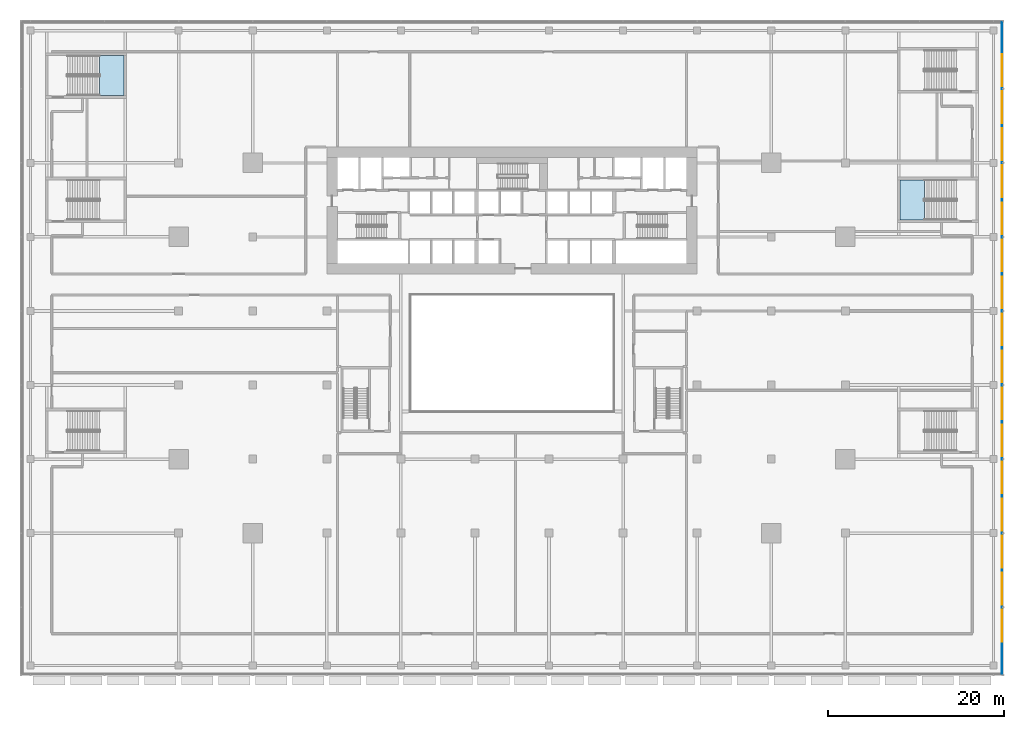
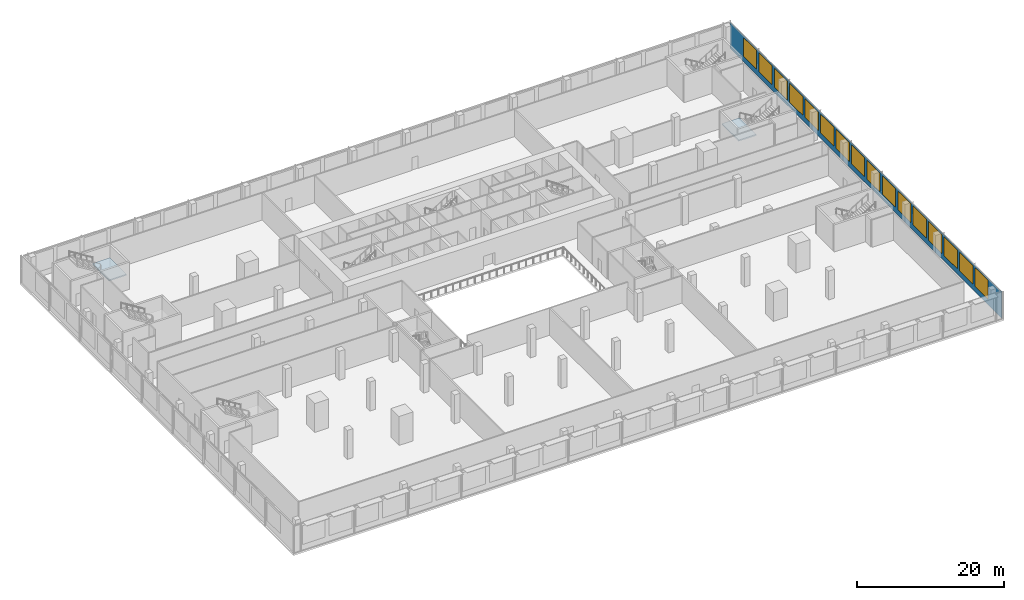
# One storey, part 24 of 39: 16 windows, 2 slabs, 1 plate, 16 openings, 3 elements without a shape of their own.
"""IFC4 building model written with IfcOpenShell, lengths in metres."""

from ifc_helpers import new_model, si_unit, direction, frame, frame_2d, origin, place, context, subcontext, project, spatial, polyline, rectangle, outline, extrude, material, layer, layer_set, type_object, element, fill, aggregate, save


model = new_model("IFC4")

# Units and contexts
model_context = context("Model", 3, precision=1e-05, world=origin(), true_north=direction((0.0, 1.0)))
body_context = subcontext(model_context, "Body", "Model", "MODEL_VIEW")
ifc_project = project(units=[si_unit("LENGTHUNIT", "METRE"), si_unit("AREAUNIT", "SQUARE_METRE"), si_unit("VOLUMEUNIT", "CUBIC_METRE"), si_unit("PLANEANGLEUNIT", "RADIAN"), si_unit("MASSUNIT", "GRAM", prefix="KILO")], contexts=[model_context])

# Site, building, storey
site_placement = place(None, origin())
site = spatial("IfcSite", under=ifc_project, at=site_placement, CompositionType="ELEMENT")
building_placement = place(site_placement, origin())
building = spatial("IfcBuilding", under=site, at=building_placement, Name="Saffron Gate Tower", CompositionType="ELEMENT")
storey_placement = place(building_placement, frame((0.0, 0.0, 14.39990234375)))
storey = spatial("IfcBuildingStorey", under=building, at=storey_placement, Name="L02", CompositionType="ELEMENT", Elevation=14.39990234375)

# Curtain wall, plate, openings, windows
ifc_material_1 = material(Name="Aluminium, bronze anodised", Category="aluminium")
curtain_wall_type = type_object("IfcCurtainWallType", Name="CWS5 curtain wall podium ring base", PredefinedType="NOTDEFINED", material=ifc_material_1)
curtain_wall_placement = place(storey_placement, origin())
curtain_wall = element("IfcCurtainWall", 1, at=curtain_wall_placement, inside=storey, type_object=curtain_wall_type, Name="CWS5 run 2", PredefinedType="NOTDEFINED")
ifc_material_2 = material(Name="Clear low-iron laminated glass", Category="glass")
ifc_layer_1 = layer(ifc_material_2, 0.028076171875)
ifc_layer_set_1 = layer_set([ifc_layer_1], Name="CWS5 fixed glass")
plate_type = type_object("IfcPlateType", Name="CWS5 fixed glass", PredefinedType="CURTAIN_PANEL", material=ifc_layer_set_1)
plate_placement = place(storey_placement, frame((143.18603515625, 15.827880859375, 0.0), z_axis=(0.0, 0.0, 1.0), x_axis=(0.0, 1.0, 0.0)))
plate = element("IfcPlate", 2, at=plate_placement, type_object=plate_type, Name="CWS5 glass panel", PredefinedType="CURTAIN_PANEL", context=body_context, shape_type="SweptSolid", body=[
    extrude(rectangle(XDim=73.944091796875, YDim=0.028076171875, at=frame_2d((36.97216796875, 0.0))), origin(), (0.0, 0.0, 1.0), 4.380126953125),
])
opening_1_placement = place(plate_placement, frame((3.672119140625, 0.0, 0.89990234375)))
opening_1 = element("IfcOpeningElement", 3, at=opening_1_placement, cuts=plate, Name="Opening W5", PredefinedType="OPENING", context=body_context, shape_type="SweptSolid", body=[
    extrude(rectangle(XDim=3.60009765625, YDim=3.1298828125, at=frame_2d((1.800048828125, 1.56494140625))), frame((0.0, 0.02392578125, 0.0), z_axis=(0.0, -1.0, 0.0), x_axis=(1.0, 0.0, 0.0)), (0.0, 0.0, 1.0), 0.048095703125),
])
opening_2_placement = place(plate_placement, frame((7.8720703125, 0.0, 0.89990234375)))
opening_2 = element("IfcOpeningElement", 4, at=opening_2_placement, cuts=plate, Name="Opening W5", PredefinedType="OPENING", context=body_context, shape_type="SweptSolid", body=[
    extrude(rectangle(XDim=3.60009765625, YDim=3.1298828125, at=frame_2d((1.800048828125, 1.56494140625))), frame((0.0, 0.02392578125, 0.0), z_axis=(0.0, -1.0, 0.0), x_axis=(1.0, 0.0, 0.0)), (0.0, 0.0, 1.0), 0.048095703125),
])
opening_3_placement = place(plate_placement, frame((12.072021484375, 0.0, 0.89990234375)))
opening_3 = element("IfcOpeningElement", 5, at=opening_3_placement, cuts=plate, Name="Opening W5", PredefinedType="OPENING", context=body_context, shape_type="SweptSolid", body=[
    extrude(rectangle(XDim=3.60009765625, YDim=3.1298828125, at=frame_2d((1.800048828125, 1.56494140625))), frame((0.0, 0.02392578125, 0.0), z_axis=(0.0, -1.0, 0.0), x_axis=(1.0, 0.0, 0.0)), (0.0, 0.0, 1.0), 0.048095703125),
])
opening_4_placement = place(plate_placement, frame((16.27197265625, 0.0, 0.89990234375)))
opening_4 = element("IfcOpeningElement", 6, at=opening_4_placement, cuts=plate, Name="Opening W5", PredefinedType="OPENING", context=body_context, shape_type="SweptSolid", body=[
    extrude(rectangle(XDim=3.60009765625, YDim=3.1298828125, at=frame_2d((1.800048828125, 1.56494140625))), frame((0.0, 0.02392578125, 0.0), z_axis=(0.0, -1.0, 0.0), x_axis=(1.0, 0.0, 0.0)), (0.0, 0.0, 1.0), 0.048095703125),
])
opening_5_placement = place(plate_placement, frame((20.471923828125, 0.0, 0.89990234375)))
opening_5 = element("IfcOpeningElement", 7, at=opening_5_placement, cuts=plate, Name="Opening W5", PredefinedType="OPENING", context=body_context, shape_type="SweptSolid", body=[
    extrude(rectangle(XDim=3.60009765625, YDim=3.1298828125, at=frame_2d((1.800048828125, 1.56494140625))), frame((0.0, 0.02392578125, 0.0), z_axis=(0.0, -1.0, 0.0), x_axis=(1.0, 0.0, 0.0)), (0.0, 0.0, 1.0), 0.048095703125),
])
opening_6_placement = place(plate_placement, frame((24.672119140625, 0.0, 0.89990234375)))
opening_6 = element("IfcOpeningElement", 8, at=opening_6_placement, cuts=plate, Name="Opening W5", PredefinedType="OPENING", context=body_context, shape_type="SweptSolid", body=[
    extrude(rectangle(XDim=3.60009765625, YDim=3.1298828125, at=frame_2d((1.800048828125, 1.56494140625))), frame((0.0, 0.02392578125, 0.0), z_axis=(0.0, -1.0, 0.0), x_axis=(1.0, 0.0, 0.0)), (0.0, 0.0, 1.0), 0.048095703125),
])
opening_7_placement = place(plate_placement, frame((28.8720703125, 0.0, 0.89990234375)))
opening_7 = element("IfcOpeningElement", 9, at=opening_7_placement, cuts=plate, Name="Opening W5", PredefinedType="OPENING", context=body_context, shape_type="SweptSolid", body=[
    extrude(rectangle(XDim=3.60009765625, YDim=3.1298828125, at=frame_2d((1.800048828125, 1.56494140625))), frame((0.0, 0.02392578125, 0.0), z_axis=(0.0, -1.0, 0.0), x_axis=(1.0, 0.0, 0.0)), (0.0, 0.0, 1.0), 0.048095703125),
])
opening_8_placement = place(plate_placement, frame((33.072021484375, 0.0, 0.89990234375)))
opening_8 = element("IfcOpeningElement", 10, at=opening_8_placement, cuts=plate, Name="Opening W5", PredefinedType="OPENING", context=body_context, shape_type="SweptSolid", body=[
    extrude(rectangle(XDim=3.60009765625, YDim=3.1298828125, at=frame_2d((1.800048828125, 1.56494140625))), frame((0.0, 0.02392578125, 0.0), z_axis=(0.0, -1.0, 0.0), x_axis=(1.0, 0.0, 0.0)), (0.0, 0.0, 1.0), 0.048095703125),
])
opening_9_placement = place(plate_placement, frame((37.27197265625, 0.0, 0.89990234375)))
opening_9 = element("IfcOpeningElement", 11, at=opening_9_placement, cuts=plate, Name="Opening W5", PredefinedType="OPENING", context=body_context, shape_type="SweptSolid", body=[
    extrude(rectangle(XDim=3.60009765625, YDim=3.1298828125, at=frame_2d((1.800048828125, 1.56494140625))), frame((0.0, 0.02392578125, 0.0), z_axis=(0.0, -1.0, 0.0), x_axis=(1.0, 0.0, 0.0)), (0.0, 0.0, 1.0), 0.048095703125),
])
opening_10_placement = place(plate_placement, frame((41.471923828125, 0.0, 0.89990234375)))
opening_10 = element("IfcOpeningElement", 12, at=opening_10_placement, cuts=plate, Name="Opening W5", PredefinedType="OPENING", context=body_context, shape_type="SweptSolid", body=[
    extrude(rectangle(XDim=3.60009765625, YDim=3.1298828125, at=frame_2d((1.800048828125, 1.56494140625))), frame((0.0, 0.02392578125, 0.0), z_axis=(0.0, -1.0, 0.0), x_axis=(1.0, 0.0, 0.0)), (0.0, 0.0, 1.0), 0.048095703125),
])
opening_11_placement = place(plate_placement, frame((45.672119140625, 0.0, 0.89990234375)))
opening_11 = element("IfcOpeningElement", 13, at=opening_11_placement, cuts=plate, Name="Opening W5", PredefinedType="OPENING", context=body_context, shape_type="SweptSolid", body=[
    extrude(rectangle(XDim=3.60009765625, YDim=3.1298828125, at=frame_2d((1.800048828125, 1.56494140625))), frame((0.0, 0.02392578125, 0.0), z_axis=(0.0, -1.0, 0.0), x_axis=(1.0, 0.0, 0.0)), (0.0, 0.0, 1.0), 0.048095703125),
])
opening_12_placement = place(plate_placement, frame((49.8720703125, 0.0, 0.89990234375)))
opening_12 = element("IfcOpeningElement", 14, at=opening_12_placement, cuts=plate, Name="Opening W5", PredefinedType="OPENING", context=body_context, shape_type="SweptSolid", body=[
    extrude(rectangle(XDim=3.60009765625, YDim=3.1298828125, at=frame_2d((1.800048828125, 1.56494140625))), frame((0.0, 0.02392578125, 0.0), z_axis=(0.0, -1.0, 0.0), x_axis=(1.0, 0.0, 0.0)), (0.0, 0.0, 1.0), 0.048095703125),
])
opening_13_placement = place(plate_placement, frame((54.072021484375, 0.0, 0.89990234375)))
opening_13 = element("IfcOpeningElement", 15, at=opening_13_placement, cuts=plate, Name="Opening W5", PredefinedType="OPENING", context=body_context, shape_type="SweptSolid", body=[
    extrude(rectangle(XDim=3.60009765625, YDim=3.1298828125, at=frame_2d((1.800048828125, 1.56494140625))), frame((0.0, 0.02392578125, 0.0), z_axis=(0.0, -1.0, 0.0), x_axis=(1.0, 0.0, 0.0)), (0.0, 0.0, 1.0), 0.048095703125),
])
opening_14_placement = place(plate_placement, frame((58.27197265625, 0.0, 0.89990234375)))
opening_14 = element("IfcOpeningElement", 16, at=opening_14_placement, cuts=plate, Name="Opening W5", PredefinedType="OPENING", context=body_context, shape_type="SweptSolid", body=[
    extrude(rectangle(XDim=3.60009765625, YDim=3.1298828125, at=frame_2d((1.800048828125, 1.56494140625))), frame((0.0, 0.02392578125, 0.0), z_axis=(0.0, -1.0, 0.0), x_axis=(1.0, 0.0, 0.0)), (0.0, 0.0, 1.0), 0.048095703125),
])
opening_15_placement = place(plate_placement, frame((62.471923828125, 0.0, 0.89990234375)))
opening_15 = element("IfcOpeningElement", 17, at=opening_15_placement, cuts=plate, Name="Opening W5", PredefinedType="OPENING", context=body_context, shape_type="SweptSolid", body=[
    extrude(rectangle(XDim=3.60009765625, YDim=3.1298828125, at=frame_2d((1.800048828125, 1.56494140625))), frame((0.0, 0.02392578125, 0.0), z_axis=(0.0, -1.0, 0.0), x_axis=(1.0, 0.0, 0.0)), (0.0, 0.0, 1.0), 0.048095703125),
])
opening_16_placement = place(plate_placement, frame((66.672119140625, 0.0, 0.89990234375)))
opening_16 = element("IfcOpeningElement", 18, at=opening_16_placement, cuts=plate, Name="Opening W5", PredefinedType="OPENING", context=body_context, shape_type="SweptSolid", body=[
    extrude(rectangle(XDim=3.60009765625, YDim=3.1298828125, at=frame_2d((1.800048828125, 1.56494140625))), frame((0.0, 0.02392578125, 0.0), z_axis=(0.0, -1.0, 0.0), x_axis=(1.0, 0.0, 0.0)), (0.0, 0.0, 1.0), 0.048095703125),
])
ifc_material_3 = material(Name="Fritted bronze-tinted laminated glass in bronze frame", Category="glass")
ifc_layer_2 = layer(ifc_material_3, 0.06005859375)
ifc_layer_set_2 = layer_set([ifc_layer_2], Name="W5 operable panel 3600x3130")
window_type = type_object("IfcWindowType", Name="W5 operable panel 3600x3130", PartitioningType="DOUBLE_PANEL_HORIZONTAL", PredefinedType="WINDOW", material=ifc_layer_set_2)
window_1_placement = place(opening_1_placement, origin())
window_1 = element("IfcWindow", 19, at=window_1_placement, type_object=window_type, Name="W5 operable panel", OverallHeight=3.1298828125, OverallWidth=3.60009765625, PartitioningType="SINGLE_PANEL", PredefinedType="WINDOW", context=body_context, shape_type="SweptSolid", body=[
    extrude(rectangle(XDim=3.60009765625, YDim=3.1298828125, at=frame_2d((1.800048828125, 1.56494140625))), frame((0.0, 0.013671875, 0.0), z_axis=(0.0, -1.0, 0.0), x_axis=(1.0, 0.0, 0.0)), (0.0, 0.0, 1.0), 0.027587890625),
])
fill(opening_1, window_1)
window_2_placement = place(opening_2_placement, origin())
window_2 = element("IfcWindow", 20, at=window_2_placement, type_object=window_type, Name="W5 operable panel", OverallHeight=3.1298828125, OverallWidth=3.60009765625, PartitioningType="SINGLE_PANEL", PredefinedType="WINDOW", context=body_context, shape_type="SweptSolid", body=[
    extrude(rectangle(XDim=3.60009765625, YDim=3.1298828125, at=frame_2d((1.800048828125, 1.56494140625))), frame((0.0, 0.013671875, 0.0), z_axis=(0.0, -1.0, 0.0), x_axis=(1.0, 0.0, 0.0)), (0.0, 0.0, 1.0), 0.027587890625),
])
fill(opening_2, window_2)
window_3_placement = place(opening_3_placement, origin())
window_3 = element("IfcWindow", 21, at=window_3_placement, type_object=window_type, Name="W5 operable panel", OverallHeight=3.1298828125, OverallWidth=3.60009765625, PartitioningType="SINGLE_PANEL", PredefinedType="WINDOW", context=body_context, shape_type="SweptSolid", body=[
    extrude(rectangle(XDim=3.60009765625, YDim=3.1298828125, at=frame_2d((1.800048828125, 1.56494140625))), frame((0.0, 0.013671875, 0.0), z_axis=(0.0, -1.0, 0.0), x_axis=(1.0, 0.0, 0.0)), (0.0, 0.0, 1.0), 0.027587890625),
])
fill(opening_3, window_3)
window_4_placement = place(opening_4_placement, origin())
window_4 = element("IfcWindow", 22, at=window_4_placement, type_object=window_type, Name="W5 operable panel", OverallHeight=3.1298828125, OverallWidth=3.60009765625, PartitioningType="SINGLE_PANEL", PredefinedType="WINDOW", context=body_context, shape_type="SweptSolid", body=[
    extrude(rectangle(XDim=3.60009765625, YDim=3.1298828125, at=frame_2d((1.800048828125, 1.56494140625))), frame((0.0, 0.013671875, 0.0), z_axis=(0.0, -1.0, 0.0), x_axis=(1.0, 0.0, 0.0)), (0.0, 0.0, 1.0), 0.027587890625),
])
fill(opening_4, window_4)
window_5_placement = place(opening_5_placement, origin())
window_5 = element("IfcWindow", 23, at=window_5_placement, type_object=window_type, Name="W5 operable panel", OverallHeight=3.1298828125, OverallWidth=3.60009765625, PartitioningType="SINGLE_PANEL", PredefinedType="WINDOW", context=body_context, shape_type="SweptSolid", body=[
    extrude(rectangle(XDim=3.60009765625, YDim=3.1298828125, at=frame_2d((1.800048828125, 1.56494140625))), frame((0.0, 0.013671875, 0.0), z_axis=(0.0, -1.0, 0.0), x_axis=(1.0, 0.0, 0.0)), (0.0, 0.0, 1.0), 0.027587890625),
])
fill(opening_5, window_5)
window_6_placement = place(opening_6_placement, origin())
window_6 = element("IfcWindow", 24, at=window_6_placement, type_object=window_type, Name="W5 operable panel", OverallHeight=3.1298828125, OverallWidth=3.60009765625, PartitioningType="SINGLE_PANEL", PredefinedType="WINDOW", context=body_context, shape_type="SweptSolid", body=[
    extrude(rectangle(XDim=3.60009765625, YDim=3.1298828125, at=frame_2d((1.800048828125, 1.56494140625))), frame((0.0, 0.013671875, 0.0), z_axis=(0.0, -1.0, 0.0), x_axis=(1.0, 0.0, 0.0)), (0.0, 0.0, 1.0), 0.027587890625),
])
fill(opening_6, window_6)
window_7_placement = place(opening_7_placement, origin())
window_7 = element("IfcWindow", 25, at=window_7_placement, type_object=window_type, Name="W5 operable panel", OverallHeight=3.1298828125, OverallWidth=3.60009765625, PartitioningType="SINGLE_PANEL", PredefinedType="WINDOW", context=body_context, shape_type="SweptSolid", body=[
    extrude(rectangle(XDim=3.60009765625, YDim=3.1298828125, at=frame_2d((1.800048828125, 1.56494140625))), frame((0.0, 0.013671875, 0.0), z_axis=(0.0, -1.0, 0.0), x_axis=(1.0, 0.0, 0.0)), (0.0, 0.0, 1.0), 0.027587890625),
])
fill(opening_7, window_7)
window_8_placement = place(opening_8_placement, origin())
window_8 = element("IfcWindow", 26, at=window_8_placement, type_object=window_type, Name="W5 operable panel", OverallHeight=3.1298828125, OverallWidth=3.60009765625, PartitioningType="SINGLE_PANEL", PredefinedType="WINDOW", context=body_context, shape_type="SweptSolid", body=[
    extrude(rectangle(XDim=3.60009765625, YDim=3.1298828125, at=frame_2d((1.800048828125, 1.56494140625))), frame((0.0, 0.013671875, 0.0), z_axis=(0.0, -1.0, 0.0), x_axis=(1.0, 0.0, 0.0)), (0.0, 0.0, 1.0), 0.027587890625),
])
fill(opening_8, window_8)
window_9_placement = place(opening_9_placement, origin())
window_9 = element("IfcWindow", 27, at=window_9_placement, type_object=window_type, Name="W5 operable panel", OverallHeight=3.1298828125, OverallWidth=3.60009765625, PartitioningType="SINGLE_PANEL", PredefinedType="WINDOW", context=body_context, shape_type="SweptSolid", body=[
    extrude(rectangle(XDim=3.60009765625, YDim=3.1298828125, at=frame_2d((1.800048828125, 1.56494140625))), frame((0.0, 0.013671875, 0.0), z_axis=(0.0, -1.0, 0.0), x_axis=(1.0, 0.0, 0.0)), (0.0, 0.0, 1.0), 0.027587890625),
])
fill(opening_9, window_9)
window_10_placement = place(opening_10_placement, origin())
window_10 = element("IfcWindow", 28, at=window_10_placement, type_object=window_type, Name="W5 operable panel", OverallHeight=3.1298828125, OverallWidth=3.60009765625, PartitioningType="SINGLE_PANEL", PredefinedType="WINDOW", context=body_context, shape_type="SweptSolid", body=[
    extrude(rectangle(XDim=3.60009765625, YDim=3.1298828125, at=frame_2d((1.800048828125, 1.56494140625))), frame((0.0, 0.013671875, 0.0), z_axis=(0.0, -1.0, 0.0), x_axis=(1.0, 0.0, 0.0)), (0.0, 0.0, 1.0), 0.027587890625),
])
fill(opening_10, window_10)
window_11_placement = place(opening_11_placement, origin())
window_11 = element("IfcWindow", 29, at=window_11_placement, type_object=window_type, Name="W5 operable panel", OverallHeight=3.1298828125, OverallWidth=3.60009765625, PartitioningType="SINGLE_PANEL", PredefinedType="WINDOW", context=body_context, shape_type="SweptSolid", body=[
    extrude(rectangle(XDim=3.60009765625, YDim=3.1298828125, at=frame_2d((1.800048828125, 1.56494140625))), frame((0.0, 0.013671875, 0.0), z_axis=(0.0, -1.0, 0.0), x_axis=(1.0, 0.0, 0.0)), (0.0, 0.0, 1.0), 0.027587890625),
])
fill(opening_11, window_11)
window_12_placement = place(opening_12_placement, origin())
window_12 = element("IfcWindow", 30, at=window_12_placement, type_object=window_type, Name="W5 operable panel", OverallHeight=3.1298828125, OverallWidth=3.60009765625, PartitioningType="SINGLE_PANEL", PredefinedType="WINDOW", context=body_context, shape_type="SweptSolid", body=[
    extrude(rectangle(XDim=3.60009765625, YDim=3.1298828125, at=frame_2d((1.800048828125, 1.56494140625))), frame((0.0, 0.013671875, 0.0), z_axis=(0.0, -1.0, 0.0), x_axis=(1.0, 0.0, 0.0)), (0.0, 0.0, 1.0), 0.027587890625),
])
fill(opening_12, window_12)
window_13_placement = place(opening_13_placement, origin())
window_13 = element("IfcWindow", 31, at=window_13_placement, type_object=window_type, Name="W5 operable panel", OverallHeight=3.1298828125, OverallWidth=3.60009765625, PartitioningType="SINGLE_PANEL", PredefinedType="WINDOW", context=body_context, shape_type="SweptSolid", body=[
    extrude(rectangle(XDim=3.60009765625, YDim=3.1298828125, at=frame_2d((1.800048828125, 1.56494140625))), frame((0.0, 0.013671875, 0.0), z_axis=(0.0, -1.0, 0.0), x_axis=(1.0, 0.0, 0.0)), (0.0, 0.0, 1.0), 0.027587890625),
])
fill(opening_13, window_13)
window_14_placement = place(opening_14_placement, origin())
window_14 = element("IfcWindow", 32, at=window_14_placement, type_object=window_type, Name="W5 operable panel", OverallHeight=3.1298828125, OverallWidth=3.60009765625, PartitioningType="SINGLE_PANEL", PredefinedType="WINDOW", context=body_context, shape_type="SweptSolid", body=[
    extrude(rectangle(XDim=3.60009765625, YDim=3.1298828125, at=frame_2d((1.800048828125, 1.56494140625))), frame((0.0, 0.013671875, 0.0), z_axis=(0.0, -1.0, 0.0), x_axis=(1.0, 0.0, 0.0)), (0.0, 0.0, 1.0), 0.027587890625),
])
fill(opening_14, window_14)
window_15_placement = place(opening_15_placement, origin())
window_15 = element("IfcWindow", 33, at=window_15_placement, type_object=window_type, Name="W5 operable panel", OverallHeight=3.1298828125, OverallWidth=3.60009765625, PartitioningType="SINGLE_PANEL", PredefinedType="WINDOW", context=body_context, shape_type="SweptSolid", body=[
    extrude(rectangle(XDim=3.60009765625, YDim=3.1298828125, at=frame_2d((1.800048828125, 1.56494140625))), frame((0.0, 0.013671875, 0.0), z_axis=(0.0, -1.0, 0.0), x_axis=(1.0, 0.0, 0.0)), (0.0, 0.0, 1.0), 0.027587890625),
])
fill(opening_15, window_15)
window_16_placement = place(opening_16_placement, origin())
window_16 = element("IfcWindow", 34, at=window_16_placement, type_object=window_type, Name="W5 operable panel", OverallHeight=3.1298828125, OverallWidth=3.60009765625, PartitioningType="SINGLE_PANEL", PredefinedType="WINDOW", context=body_context, shape_type="SweptSolid", body=[
    extrude(rectangle(XDim=3.60009765625, YDim=3.1298828125, at=frame_2d((1.800048828125, 1.56494140625))), frame((0.0, 0.013671875, 0.0), z_axis=(0.0, -1.0, 0.0), x_axis=(1.0, 0.0, 0.0)), (0.0, 0.0, 1.0), 0.027587890625),
])
fill(opening_16, window_16)
aggregate(curtain_wall, [plate, window_1, window_2, window_3, window_4, window_5, window_6, window_7, window_8, window_9, window_10, window_11, window_12, window_13, window_14, window_15, window_16])

# Stair, slab
ifc_material_4 = material(Name="Concrete C40", Category="concrete")
stair_type = type_object("IfcStairType", Name="ST11 Stair 2200 wide, 28 risers of 171", PredefinedType="HALF_TURN_STAIR", material=ifc_material_4)
stair_1_placement = place(storey_placement, origin())
stair_1 = element("IfcStair", 35, at=stair_1_placement, inside=storey, type_object=stair_type, Name="L02 Exit stair F", PredefinedType="HALF_TURN_STAIR")
ifc_layer_3 = layer(ifc_material_4, 0.199951171875)
ifc_layer_set_3 = layer_set([ifc_layer_3], Name="SL1 Stair landing 200")
slab_type = type_object("IfcSlabType", Name="SL1 Stair landing 200", PredefinedType="LANDING", material=ifc_layer_set_3)
slab_1_placement = place(storey_placement, frame((0.0, 0.0, 2.2001953125)))
slab_1 = element("IfcSlab", 36, at=slab_1_placement, type_object=slab_type, Name="ST-F landing 1", PredefinedType="LANDING", context=body_context, shape_type="SweptSolid", body=[
    extrude(outline(polyline([(40.840087890625, 81.425048828125), (43.60009765625, 81.425048828125), (43.60009765625, 85.97509765625), (40.840087890625, 85.97509765625), (40.840087890625, 81.425048828125)])), origin(), (0.0, 0.0, 1.0), 0.199951171875),
])
aggregate(stair_1, [slab_1])

stair_2_placement = place(storey_placement, origin())
stair_2 = element("IfcStair", 37, at=stair_2_placement, inside=storey, type_object=stair_type, Name="L02 Exit stair J", PredefinedType="HALF_TURN_STAIR")
slab_2_placement = place(storey_placement, frame((0.0, 0.0, 2.2001953125)))
slab_2 = element("IfcSlab", 38, at=slab_2_placement, type_object=slab_type, Name="ST-J landing 1", PredefinedType="LANDING", context=body_context, shape_type="SweptSolid", body=[
    extrude(outline(polyline([(134.360107421875, 71.875), (131.60009765625, 71.875), (131.60009765625, 67.324951171875), (134.360107421875, 67.324951171875), (134.360107421875, 71.875)])), origin(), (0.0, 0.0, 1.0), 0.199951171875),
])
aggregate(stair_2, [slab_2])

save(model, "model.ifc")
